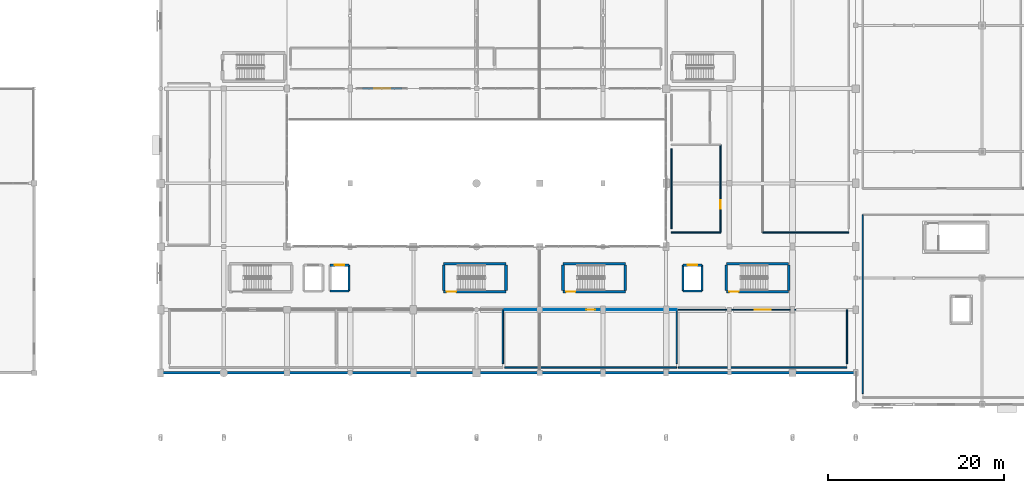
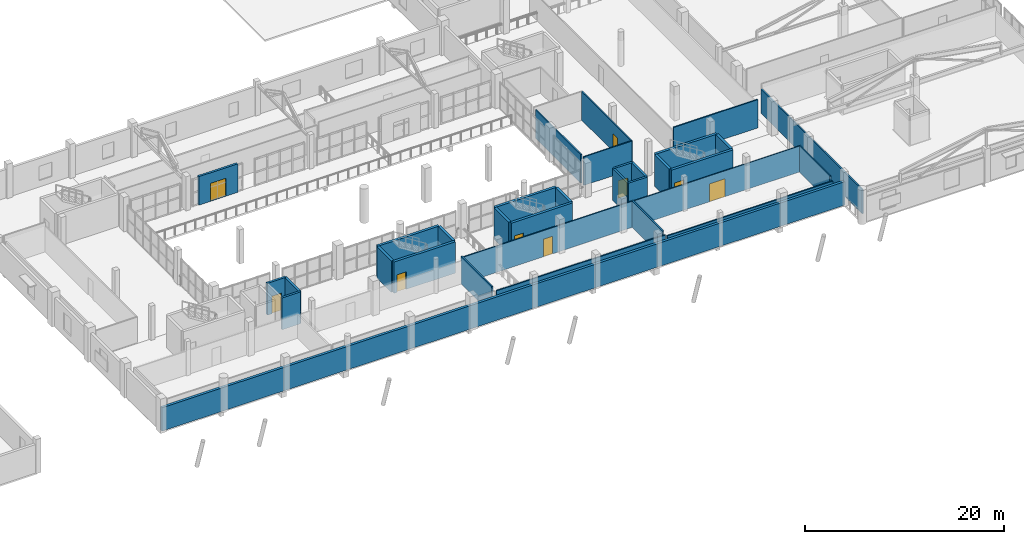
# One storey, part 68 of 92: 33 walls, 9 doors, 9 openings.
"""IFC4 building model written with IfcOpenShell, lengths in metres."""

from ifc_helpers import new_model, si_unit, direction, frame, frame_2d, origin, place, context, subcontext, project, spatial, rectangle, extrude, material, layer, layer_set, type_object, element, fill, save


model = new_model("IFC4")

# Units and contexts
model_context = context("Model", 3, precision=1e-05, world=origin(), true_north=direction((0.0, 1.0)))
body_context = subcontext(model_context, "Body", "Model", "MODEL_VIEW")
ifc_project = project(units=[si_unit("LENGTHUNIT", "METRE"), si_unit("AREAUNIT", "SQUARE_METRE"), si_unit("VOLUMEUNIT", "CUBIC_METRE"), si_unit("PLANEANGLEUNIT", "RADIAN"), si_unit("MASSUNIT", "GRAM", prefix="KILO")], contexts=[model_context])

# Site, building, storey
site_placement = place(None, origin())
site = spatial("IfcSite", under=ifc_project, at=site_placement, CompositionType="ELEMENT")
building_placement = place(site_placement, origin())
building = spatial("IfcBuilding", under=site, at=building_placement, Name="Solanera Park Tramway Depot", CompositionType="ELEMENT")
storey_placement = place(building_placement, frame((0.0, 0.0, 4.800048828125)))
storey = spatial("IfcBuildingStorey", under=building, at=storey_placement, Name="L01", CompositionType="ELEMENT", Elevation=4.800048828125)

# Walls
ifc_material_1 = material(Name="Concrete N32 (C32/40)", Category="concrete")
ifc_layer_1 = layer(ifc_material_1, 0.14990234375)
ifc_layer_set_1 = layer_set([ifc_layer_1], Name="Concrete N32 (C32/40)")
wall_type_1 = type_object("IfcWallType", Name="Acoustic Partition 150", PredefinedType="PARTITIONING", material=ifc_layer_set_1)
wall_1_placement = place(storey_placement, frame((147.0, 11.85009765625, 0.0), z_axis=(0.0, 0.0, 1.0), x_axis=(0.0, 1.0, 0.0)))
element("IfcWall", 1, at=wall_1_placement, inside=storey, type_object=wall_type_1, Name="Electric Bus Articulated Simulator 2 Dividing Wall", PredefinedType="PARTITIONING", context=body_context, shape_type="SweptSolid", body=[
    extrude(rectangle(XDim=6.14990234375, YDim=0.14990234375, at=frame_2d((3.074951171875, 0.0))), origin(), (0.0, 0.0, 1.0), 3.3720703125),
])
wall_2_placement = place(storey_placement, frame((166.800048828125, 11.39990234375, 0.0), z_axis=(0.0, 0.0, 1.0), x_axis=(-1.0, 0.0, 0.0)))
element("IfcWall", 2, at=wall_2_placement, inside=storey, type_object=wall_type_1, Name="Signalling Classroom and Debrief Room Dividing Wall", PredefinedType="PARTITIONING", context=body_context, shape_type="SweptSolid", body=[
    extrude(rectangle(XDim=19.60009765625, YDim=0.14990234375, at=frame_2d((9.800048828125, 0.0))), origin(), (0.0, 0.0, 1.0), 3.072021484375),
])
wall_3_placement = place(storey_placement, frame((166.800048828125, 11.85009765625, 0.0), z_axis=(0.0, 0.0, 1.0), x_axis=(0.0, 1.0, 0.0)))
element("IfcWall", 3, at=wall_3_placement, inside=storey, type_object=wall_type_1, Name="Signalling Classroom and Debrief Room Dividing Wall", PredefinedType="PARTITIONING", context=body_context, shape_type="SweptSolid", body=[
    extrude(rectangle(XDim=6.14990234375, YDim=0.14990234375, at=frame_2d((3.074951171875, 0.0))), origin(), (0.0, 0.0, 1.0), 3.27197265625),
])
wall_4_placement = place(storey_placement, frame((186.199951171875, 11.39990234375, 0.0), z_axis=(0.0, 0.0, 1.0), x_axis=(-1.0, 0.0, 0.0)))
element("IfcWall", 4, at=wall_4_placement, inside=storey, type_object=wall_type_1, Name="Safety Induction Lecture Room Dividing Wall", PredefinedType="PARTITIONING", context=body_context, shape_type="SweptSolid", body=[
    extrude(rectangle(XDim=19.199951171875, YDim=0.14990234375, at=frame_2d((9.60009765625, 0.0))), origin(), (0.0, 0.0, 1.0), 2.8720703125),
])
wall_5_placement = place(storey_placement, frame((186.199951171875, 11.85009765625, 0.0), z_axis=(0.0, 0.0, 1.0), x_axis=(0.0, 1.0, 0.0)))
element("IfcWall", 5, at=wall_5_placement, inside=storey, type_object=wall_type_1, Name="Safety Induction Lecture Room Dividing Wall", PredefinedType="PARTITIONING", context=body_context, shape_type="SweptSolid", body=[
    extrude(rectangle(XDim=6.14990234375, YDim=0.14990234375, at=frame_2d((3.074951171875, 0.0))), origin(), (0.0, 0.0, 1.0), 3.221923828125),
])
wall_6_placement = place(storey_placement, frame((186.39990234375, 26.800048828125, 0.0), z_axis=(0.0, 0.0, 1.0), x_axis=(-1.0, 0.0, 0.0)))
element("IfcWall", 6, at=wall_6_placement, inside=storey, type_object=wall_type_1, Name="Fleet Maintenance Engineering Open Plan Dividing Wall", PredefinedType="PARTITIONING", context=body_context, shape_type="SweptSolid", body=[
    extrude(rectangle(XDim=9.7998046875, YDim=0.14990234375, at=frame_2d((4.89990234375, 0.0))), origin(), (0.0, 0.0, 1.0), 3.472412109375),
])
wall_7_placement = place(storey_placement, frame((188.0, 28.800048828125, 0.0), z_axis=(0.0, 0.0, 1.0), x_axis=(0.0, -1.0, 0.0)))
element("IfcWall", 7, at=wall_7_placement, inside=storey, type_object=wall_type_1, Name="Community Transit Forum Auditorium Dividing Wall", PredefinedType="PARTITIONING", context=body_context, shape_type="SweptSolid", body=[
    extrude(rectangle(XDim=20.35009765625, YDim=0.14990234375, at=frame_2d((10.175048828125, 0.0))), origin(), (0.0, 0.0, 1.0), 2.979248046875),
])

# Wall, opening, door
ifc_material_2 = material(Name="Concrete N40 (C40/50)", Category="concrete")
ifc_layer_2 = layer(ifc_material_2, 0.300048828125)
ifc_layer_set_2 = layer_set([ifc_layer_2], Name="Concrete N40 (C40/50)")
wall_type_2 = type_object("IfcWallType", Name="Core Shear Wall 300", PredefinedType="SHEAR", material=ifc_layer_set_2)
wall_8_placement = place(storey_placement, frame((140.25, 20.050048828125, 0.0), z_axis=(0.0, 0.0, 1.0), x_axis=(1.0, 0.0, 0.0)))
wall_8 = element("IfcWall", 8, at=wall_8_placement, inside=storey, type_object=wall_type_2, Name="ST-02 L01 Shear Core Wall S", PredefinedType="SHEAR", context=body_context, shape_type="SweptSolid", body=[
    extrude(rectangle(XDim=7.10009765625, YDim=0.300048828125, at=frame_2d((3.550048828125, 0.0))), origin(), (0.0, 0.0, 1.0), 3.83984375),
])
opening_1_placement = place(wall_8_placement, frame((0.35009765625, 0.0, 0.0)))
opening_1 = element("IfcOpeningElement", 9, at=opening_1_placement, cuts=wall_8, Name="Opening FD-S1R", PredefinedType="OPENING", context=body_context, shape_type="SweptSolid", body=[
    extrude(rectangle(XDim=1.070068359375, YDim=2.14990234375, at=frame_2d((0.53515625, 1.074951171875))), frame((0.0, 0.16015625, 0.0), z_axis=(0.0, -1.0, 0.0), x_axis=(1.0, 0.0, 0.0)), (0.0, 0.0, 1.0), 0.320068359375),
])
ifc_material_3 = material(Name="Fire-rated steel or solid-core hardwood door leaf", Category="steel")
door_type_1 = type_object("IfcDoorType", Name="Stair Fire Door R 1070x2150", OperationType="SINGLE_SWING_RIGHT", PredefinedType="DOOR", material=ifc_material_3)
door_1_placement = place(opening_1_placement, origin())
door_1 = element("IfcDoor", 10, at=door_1_placement, inside=storey, type_object=door_type_1, Name="ST-02 L01 Stair Fire Door", OperationType="SINGLE_SWING_RIGHT", OverallHeight=2.14990234375, OverallWidth=1.070068359375, PredefinedType="DOOR", context=body_context, shape_type="SweptSolid", body=[
    extrude(rectangle(XDim=1.070068359375, YDim=2.14990234375, at=frame_2d((0.53515625, 1.074951171875))), frame((0.0, 0.02490234375, 0.0), z_axis=(0.0, -1.0, 0.0), x_axis=(1.0, 0.0, 0.0)), (0.0, 0.0, 1.0), 0.050048828125),
])
fill(opening_1, door_1)

# Walls
wall_9_placement = place(storey_placement, frame((147.35009765625, 23.25, 0.0), z_axis=(0.0, 0.0, 1.0), x_axis=(-1.0, 0.0, 0.0)))
element("IfcWall", 11, at=wall_9_placement, inside=storey, type_object=wall_type_2, Name="ST-02 L01 Shear Core Wall N", PredefinedType="SHEAR", context=body_context, shape_type="SweptSolid", body=[
    extrude(rectangle(XDim=7.10009765625, YDim=0.300048828125, at=frame_2d((3.550048828125, 0.0))), origin(), (0.0, 0.0, 1.0), 3.83984375),
])
for number, where, z_axis, x_axis, name in (
    (12, (147.35009765625, 20.199951171875, 0.0), (0.0, 0.0, 1.0), (0.0, 1.0, 0.0), "ST-02 L01 Shear Core Wall E"),
    (13, (140.25, 23.10009765625, 0.0), (0.0, 0.0, 1.0), (0.0, -1.0, 0.0), "ST-02 L01 Shear Core Wall W"),
):
    element("IfcWall", number, at=place(storey_placement, frame(where, z_axis=z_axis, x_axis=x_axis)), inside=storey, type_object=wall_type_2, Name=name, PredefinedType="SHEAR", context=body_context, shape_type="SweptSolid", body=[
        extrude(rectangle(XDim=2.900146484375, YDim=0.300048828125, at=frame_2d((1.4501953125, 0.0))), origin(), (0.0, 0.0, 1.0), 3.83984375),
    ])

# Wall, opening, door
wall_10_placement = place(storey_placement, frame((153.85009765625, 20.050048828125, 0.0), z_axis=(0.0, 0.0, 1.0), x_axis=(1.0, 0.0, 0.0)))
wall_10 = element("IfcWall", 14, at=wall_10_placement, inside=storey, type_object=wall_type_2, Name="ST-03 L01 Shear Core Wall S", PredefinedType="SHEAR", context=body_context, shape_type="SweptSolid", body=[
    extrude(rectangle(XDim=7.099853515625, YDim=0.300048828125, at=frame_2d((3.5498046875, 0.0))), origin(), (0.0, 0.0, 1.0), 3.83984375),
])
opening_2_placement = place(wall_10_placement, frame((0.35009765625, 0.0, 0.0)))
opening_2 = element("IfcOpeningElement", 15, at=opening_2_placement, cuts=wall_10, Name="Opening FD-S1R", PredefinedType="OPENING", context=body_context, shape_type="SweptSolid", body=[
    extrude(rectangle(XDim=1.070068359375, YDim=2.14990234375, at=frame_2d((0.53515625, 1.074951171875))), frame((0.0, 0.16015625, 0.0), z_axis=(0.0, -1.0, 0.0), x_axis=(1.0, 0.0, 0.0)), (0.0, 0.0, 1.0), 0.320068359375),
])
door_2_placement = place(opening_2_placement, origin())
door_2 = element("IfcDoor", 16, at=door_2_placement, inside=storey, type_object=door_type_1, Name="ST-03 L01 Stair Fire Door", OperationType="SINGLE_SWING_RIGHT", OverallHeight=2.14990234375, OverallWidth=1.070068359375, PredefinedType="DOOR", context=body_context, shape_type="SweptSolid", body=[
    extrude(rectangle(XDim=1.070068359375, YDim=2.14990234375, at=frame_2d((0.53515625, 1.074951171875))), frame((0.0, 0.02490234375, 0.0), z_axis=(0.0, -1.0, 0.0), x_axis=(1.0, 0.0, 0.0)), (0.0, 0.0, 1.0), 0.050048828125),
])
fill(opening_2, door_2)

# Walls
wall_11_placement = place(storey_placement, frame((160.949951171875, 23.25, 0.0), z_axis=(0.0, 0.0, 1.0), x_axis=(-1.0, 0.0, 0.0)))
element("IfcWall", 17, at=wall_11_placement, inside=storey, type_object=wall_type_2, Name="ST-03 L01 Shear Core Wall N", PredefinedType="SHEAR", context=body_context, shape_type="SweptSolid", body=[
    extrude(rectangle(XDim=7.099853515625, YDim=0.300048828125, at=frame_2d((3.5498046875, 0.0))), origin(), (0.0, 0.0, 1.0), 3.83984375),
])
for number, where, z_axis, x_axis, name in (
    (18, (160.949951171875, 20.199951171875, 0.0), (0.0, 0.0, 1.0), (0.0, 1.0, 0.0), "ST-03 L01 Shear Core Wall E"),
    (19, (153.85009765625, 23.10009765625, 0.0), (0.0, 0.0, 1.0), (0.0, -1.0, 0.0), "ST-03 L01 Shear Core Wall W"),
):
    element("IfcWall", number, at=place(storey_placement, frame(where, z_axis=z_axis, x_axis=x_axis)), inside=storey, type_object=wall_type_2, Name=name, PredefinedType="SHEAR", context=body_context, shape_type="SweptSolid", body=[
        extrude(rectangle(XDim=2.900146484375, YDim=0.300048828125, at=frame_2d((1.4501953125, 0.0))), origin(), (0.0, 0.0, 1.0), 3.83984375),
    ])

# Wall, opening, door
wall_12_placement = place(storey_placement, frame((172.449951171875, 20.050048828125, 0.0), z_axis=(0.0, 0.0, 1.0), x_axis=(1.0, 0.0, 0.0)))
wall_12 = element("IfcWall", 20, at=wall_12_placement, inside=storey, type_object=wall_type_2, Name="ST-04 L01 Shear Core Wall S", PredefinedType="SHEAR", context=body_context, shape_type="SweptSolid", body=[
    extrude(rectangle(XDim=7.10009765625, YDim=0.300048828125, at=frame_2d((3.550048828125, 0.0))), origin(), (0.0, 0.0, 1.0), 3.83984375),
])
opening_3_placement = place(wall_12_placement, frame((0.35009765625, 0.0, 0.0)))
opening_3 = element("IfcOpeningElement", 21, at=opening_3_placement, cuts=wall_12, Name="Opening FD-S1R", PredefinedType="OPENING", context=body_context, shape_type="SweptSolid", body=[
    extrude(rectangle(XDim=1.070068359375, YDim=2.14990234375, at=frame_2d((0.53515625, 1.074951171875))), frame((0.0, 0.16015625, 0.0), z_axis=(0.0, -1.0, 0.0), x_axis=(1.0, 0.0, 0.0)), (0.0, 0.0, 1.0), 0.320068359375),
])
door_3_placement = place(opening_3_placement, origin())
door_3 = element("IfcDoor", 22, at=door_3_placement, inside=storey, type_object=door_type_1, Name="ST-04 L01 Stair Fire Door", OperationType="SINGLE_SWING_RIGHT", OverallHeight=2.14990234375, OverallWidth=1.070068359375, PredefinedType="DOOR", context=body_context, shape_type="SweptSolid", body=[
    extrude(rectangle(XDim=1.070068359375, YDim=2.14990234375, at=frame_2d((0.53515625, 1.074951171875))), frame((0.0, 0.02490234375, 0.0), z_axis=(0.0, -1.0, 0.0), x_axis=(1.0, 0.0, 0.0)), (0.0, 0.0, 1.0), 0.050048828125),
])
fill(opening_3, door_3)

# Walls
wall_13_placement = place(storey_placement, frame((179.550048828125, 23.25, 0.0), z_axis=(0.0, 0.0, 1.0), x_axis=(-1.0, 0.0, 0.0)))
element("IfcWall", 23, at=wall_13_placement, inside=storey, type_object=wall_type_2, Name="ST-04 L01 Shear Core Wall N", PredefinedType="SHEAR", context=body_context, shape_type="SweptSolid", body=[
    extrude(rectangle(XDim=7.10009765625, YDim=0.300048828125, at=frame_2d((3.550048828125, 0.0))), origin(), (0.0, 0.0, 1.0), 3.83984375),
])
for number, where, z_axis, x_axis, name in (
    (24, (179.550048828125, 20.199951171875, 0.0), (0.0, 0.0, 1.0), (0.0, 1.0, 0.0), "ST-04 L01 Shear Core Wall E"),
    (25, (172.449951171875, 23.10009765625, 0.0), (0.0, 0.0, 1.0), (0.0, -1.0, 0.0), "ST-04 L01 Shear Core Wall W"),
):
    element("IfcWall", number, at=place(storey_placement, frame(where, z_axis=z_axis, x_axis=x_axis)), inside=storey, type_object=wall_type_2, Name=name, PredefinedType="SHEAR", context=body_context, shape_type="SweptSolid", body=[
        extrude(rectangle(XDim=2.900146484375, YDim=0.300048828125, at=frame_2d((1.4501953125, 0.0))), origin(), (0.0, 0.0, 1.0), 3.83984375),
    ])

# Wall, opening, door
ifc_material_4 = material(Name="Concrete N32 (C32/40)", Category="concrete")
ifc_layer_3 = layer(ifc_material_4, 0.25)
ifc_layer_set_3 = layer_set([ifc_layer_3], Name="Concrete N32 (C32/40)")
wall_type_3 = type_object("IfcWallType", Name="Ext Stucco Wall 250", PredefinedType="SOLIDWALL", material=ifc_layer_set_3)
wall_14_placement = place(storey_placement, frame((131.0, 43.199951171875, 0.0), z_axis=(0.0, 0.0, 1.0), x_axis=(1.0, 0.0, 0.0)))
wall_14 = element("IfcWall", 26, at=wall_14_placement, inside=storey, type_object=wall_type_3, Name="L01 Cloister Balcony Portal Wall", PredefinedType="SOLIDWALL", context=body_context, shape_type="SweptSolid", body=[
    extrude(rectangle(XDim=4.5, YDim=0.25, at=frame_2d((2.25, 0.0))), origin(), (0.0, 0.0, 1.0), 3.5),
])
opening_4_placement = place(wall_14_placement, frame((1.35009765625, 0.0, 0.0)))
opening_4 = element("IfcOpeningElement", 27, at=opening_4_placement, cuts=wall_14, Name="Opening ED-02", PredefinedType="OPENING", context=body_context, shape_type="SweptSolid", body=[
    extrude(rectangle(XDim=1.800048828125, YDim=2.199951171875, at=frame_2d((0.89990234375, 1.10009765625))), frame((0.0, 0.135009765625, 0.0), z_axis=(0.0, -1.0, 0.0), x_axis=(1.0, 0.0, 0.0)), (0.0, 0.0, 1.0), 0.27001953125),
])
ifc_material_5 = material(Name="Powder-coated aluminium and steel portal leaf", Category="steel")
door_type_2 = type_object("IfcDoorType", Name="Cloister Terrace Double Door 1800x2200", OperationType="DOUBLE_SWING_RIGHT", PredefinedType="DOOR", material=ifc_material_5)
door_4_placement = place(opening_4_placement, origin())
door_4 = element("IfcDoor", 28, at=door_4_placement, inside=storey, type_object=door_type_2, Name="Courtyard Cloister Balcony Door", OperationType="DOUBLE_SWING_RIGHT", OverallHeight=2.199951171875, OverallWidth=1.800048828125, PredefinedType="DOOR", context=body_context, shape_type="SweptSolid", body=[
    extrude(rectangle(XDim=1.800048828125, YDim=2.199951171875, at=frame_2d((0.89990234375, 1.10009765625))), frame((0.0, 0.02490234375, 0.0), z_axis=(0.0, -1.0, 0.0), x_axis=(1.0, 0.0, 0.0)), (0.0, 0.0, 1.0), 0.050048828125),
])
fill(opening_4, door_4)

# Walls
ifc_material_6 = material(Name="Concrete N32 (C32/40)", Category="concrete")
ifc_layer_4 = layer(ifc_material_6, 0.300048828125)
ifc_layer_set_4 = layer_set([ifc_layer_4], Name="Concrete N32 (C32/40)")
wall_type_4 = type_object("IfcWallType", Name="Ext Stucco Wall 300", PredefinedType="SOLIDWALL", material=ifc_layer_set_4)
wall_15_placement = place(storey_placement, frame((108.0, 10.800048828125, 0.0), z_axis=(0.0, 0.0, 1.0), x_axis=(1.0, 0.0, 0.0)))
element("IfcWall", 29, at=wall_15_placement, inside=storey, type_object=wall_type_4, Name="L01 Exterior Wall #023", PredefinedType="SOLIDWALL", context=body_context, shape_type="SweptSolid", body=[
    extrude(rectangle(XDim=79.199951171875, YDim=0.300048828125, at=frame_2d((39.60009765625, 0.0))), origin(), (0.0, 0.0, 1.0), 2.8720703125),
])
ifc_material_7 = material(Name="Concrete N40 (C40/50)", Category="concrete")
ifc_layer_5 = layer(ifc_material_7, 0.25)
ifc_layer_set_5 = layer_set([ifc_layer_5], Name="Concrete N40 (C40/50)")
wall_type_5 = type_object("IfcWallType", Name="Lift Shaft Shear Wall 250", PredefinedType="SHEAR", material=ifc_layer_set_5)
wall_16_placement = place(storey_placement, frame((127.324951171875, 20.125, 0.0), z_axis=(0.0, 0.0, 1.0), x_axis=(1.0, 0.0, 0.0)))
element("IfcWall", 30, at=wall_16_placement, inside=storey, type_object=wall_type_5, Name="LF-02 L01 Lift Shaft Wall S", PredefinedType="SHEAR", context=body_context, shape_type="SweptSolid", body=[
    extrude(rectangle(XDim=2.150146484375, YDim=0.25, at=frame_2d((1.0751953125, 0.0))), origin(), (0.0, 0.0, 1.0), 3.89990234375),
])

# Wall, opening, door
wall_17_placement = place(storey_placement, frame((129.47509765625, 23.074951171875, 0.0), z_axis=(0.0, 0.0, 1.0), x_axis=(-1.0, 0.0, 0.0)))
wall_17 = element("IfcWall", 31, at=wall_17_placement, inside=storey, type_object=wall_type_5, Name="LF-02 L01 Lift Shaft Wall N", PredefinedType="SHEAR", context=body_context, shape_type="SweptSolid", body=[
    extrude(rectangle(XDim=2.150146484375, YDim=0.25, at=frame_2d((1.0751953125, 0.0))), origin(), (0.0, 0.0, 1.0), 3.89990234375),
])
opening_5_placement = place(wall_17_placement, frame((0.52490234375, 0.0, 0.0)))
opening_5 = element("IfcOpeningElement", 32, at=opening_5_placement, cuts=wall_17, Name="Opening LD-01", PredefinedType="OPENING", context=body_context, shape_type="SweptSolid", body=[
    extrude(rectangle(XDim=1.10009765625, YDim=2.14990234375, at=frame_2d((0.550048828125, 1.074951171875))), frame((0.0, 0.135009765625, 0.0), z_axis=(0.0, -1.0, 0.0), x_axis=(1.0, 0.0, 0.0)), (0.0, 0.0, 1.0), 0.27001953125),
])
ifc_material_8 = material(Name="Fire-rated steel or solid-core hardwood door leaf", Category="steel")
door_type_3 = type_object("IfcDoorType", Name="Lift Landing Sliding Door 1100x2150", OperationType="SLIDING_TO_LEFT", PredefinedType="DOOR", material=ifc_material_8)
door_5_placement = place(opening_5_placement, origin())
door_5 = element("IfcDoor", 33, at=door_5_placement, inside=storey, type_object=door_type_3, Name="LF-02 L01 Lift Landing Sliding Door", OperationType="SLIDING_TO_LEFT", OverallHeight=2.14990234375, OverallWidth=1.10009765625, PredefinedType="DOOR", context=body_context, shape_type="SweptSolid", body=[
    extrude(rectangle(XDim=1.10009765625, YDim=2.14990234375, at=frame_2d((0.550048828125, 1.074951171875))), frame((0.0, 0.02490234375, 0.0), z_axis=(0.0, -1.0, 0.0), x_axis=(1.0, 0.0, 0.0)), (0.0, 0.0, 1.0), 0.050048828125),
])
fill(opening_5, door_5)

# Walls
wall_18_placement = place(storey_placement, frame((129.47509765625, 20.125, 0.0), z_axis=(0.0, 0.0, 1.0), x_axis=(0.0, 1.0, 0.0)))
element("IfcWall", 34, at=wall_18_placement, inside=storey, type_object=wall_type_5, Name="LF-02 L01 Lift Shaft Wall E", PredefinedType="SHEAR", context=body_context, shape_type="SweptSolid", body=[
    extrude(rectangle(XDim=2.949951171875, YDim=0.25, at=frame_2d((1.47509765625, 0.0))), origin(), (0.0, 0.0, 1.0), 3.89990234375),
])
wall_19_placement = place(storey_placement, frame((167.52490234375, 20.125, 0.0), z_axis=(0.0, 0.0, 1.0), x_axis=(1.0, 0.0, 0.0)))
element("IfcWall", 35, at=wall_19_placement, inside=storey, type_object=wall_type_5, Name="LF-03 L01 Lift Shaft Wall S", PredefinedType="SHEAR", context=body_context, shape_type="SweptSolid", body=[
    extrude(rectangle(XDim=2.150146484375, YDim=0.25, at=frame_2d((1.0751953125, 0.0))), origin(), (0.0, 0.0, 1.0), 3.89990234375),
])

# Wall, opening, door
wall_20_placement = place(storey_placement, frame((169.675048828125, 23.074951171875, 0.0), z_axis=(0.0, 0.0, 1.0), x_axis=(-1.0, 0.0, 0.0)))
wall_20 = element("IfcWall", 36, at=wall_20_placement, inside=storey, type_object=wall_type_5, Name="LF-03 L01 Lift Shaft Wall N", PredefinedType="SHEAR", context=body_context, shape_type="SweptSolid", body=[
    extrude(rectangle(XDim=2.150146484375, YDim=0.25, at=frame_2d((1.0751953125, 0.0))), origin(), (0.0, 0.0, 1.0), 3.89990234375),
])
opening_6_placement = place(wall_20_placement, frame((0.52490234375, 0.0, 0.0)))
opening_6 = element("IfcOpeningElement", 37, at=opening_6_placement, cuts=wall_20, Name="Opening LD-01", PredefinedType="OPENING", context=body_context, shape_type="SweptSolid", body=[
    extrude(rectangle(XDim=1.10009765625, YDim=2.14990234375, at=frame_2d((0.550048828125, 1.074951171875))), frame((0.0, 0.135009765625, 0.0), z_axis=(0.0, -1.0, 0.0), x_axis=(1.0, 0.0, 0.0)), (0.0, 0.0, 1.0), 0.27001953125),
])
door_6_placement = place(opening_6_placement, origin())
door_6 = element("IfcDoor", 38, at=door_6_placement, inside=storey, type_object=door_type_3, Name="LF-03 L01 Lift Landing Sliding Door", OperationType="SLIDING_TO_LEFT", OverallHeight=2.14990234375, OverallWidth=1.10009765625, PredefinedType="DOOR", context=body_context, shape_type="SweptSolid", body=[
    extrude(rectangle(XDim=1.10009765625, YDim=2.14990234375, at=frame_2d((0.550048828125, 1.074951171875))), frame((0.0, 0.02490234375, 0.0), z_axis=(0.0, -1.0, 0.0), x_axis=(1.0, 0.0, 0.0)), (0.0, 0.0, 1.0), 0.050048828125),
])
fill(opening_6, door_6)

# Walls
for number, where, z_axis, x_axis, name in (
    (39, (167.52490234375, 23.074951171875, 0.0), (0.0, 0.0, 1.0), (0.0, -1.0, 0.0), "LF-03 L01 Lift Shaft Wall W"),
    (40, (169.675048828125, 20.125, 0.0), (0.0, 0.0, 1.0), (0.0, 1.0, 0.0), "LF-03 L01 Lift Shaft Wall E"),
):
    element("IfcWall", number, at=place(storey_placement, frame(where, z_axis=z_axis, x_axis=x_axis)), inside=storey, type_object=wall_type_5, Name=name, PredefinedType="SHEAR", context=body_context, shape_type="SweptSolid", body=[
        extrude(rectangle(XDim=2.949951171875, YDim=0.25, at=frame_2d((1.47509765625, 0.0))), origin(), (0.0, 0.0, 1.0), 3.89990234375),
    ])
ifc_material_9 = material(Name="Concrete N32 (C32/40)", Category="concrete")
ifc_layer_6 = layer(ifc_material_9, 0.139892578125)
ifc_layer_set_6 = layer_set([ifc_layer_6], Name="Concrete N32 (C32/40)")
wall_type_6 = type_object("IfcWallType", Name="Wet Area Partition 140", PredefinedType="PARTITIONING", material=ifc_layer_set_6)
wall_21_placement = place(storey_placement, frame((171.800048828125, 26.800048828125, 0.0), z_axis=(0.0, 0.0, 1.0), x_axis=(-1.0, 0.0, 0.0)))
element("IfcWall", 41, at=wall_21_placement, inside=storey, type_object=wall_type_6, Name="Quadrangle L01 Male and Female WC Dividing Wall", PredefinedType="PARTITIONING", context=body_context, shape_type="SweptSolid", body=[
    extrude(rectangle(XDim=5.60009765625, YDim=0.139892578125, at=frame_2d((2.800048828125, 0.0))), origin(), (0.0, 0.0, 1.0), 3.5),
])
wall_22_placement = place(storey_placement, frame((166.199951171875, 36.35009765625, 0.0), z_axis=(0.0, 0.0, 1.0), x_axis=(0.0, -1.0, 0.0)))
element("IfcWall", 42, at=wall_22_placement, inside=storey, type_object=wall_type_6, Name="Quadrangle L01 Male and Female WC Dividing Wall", PredefinedType="PARTITIONING", context=body_context, shape_type="SweptSolid", body=[
    extrude(rectangle(XDim=9.10009765625, YDim=0.139892578125, at=frame_2d((4.550048828125, 0.0))), origin(), (0.0, 0.0, 1.0), 3.5),
])

# Wall, opening, door
wall_23_placement = place(storey_placement, frame((171.800048828125, 26.800048828125, 0.0), z_axis=(0.0, 0.0, 1.0), x_axis=(0.0, 1.0, 0.0)))
wall_23 = element("IfcWall", 43, at=wall_23_placement, inside=storey, type_object=wall_type_6, Name="Quadrangle L01 Male and Female WC Corridor Wall", PredefinedType="PARTITIONING", context=body_context, shape_type="SweptSolid", body=[
    extrude(rectangle(XDim=10.0, YDim=0.139892578125, at=frame_2d((5.0, 0.0))), origin(), (0.0, 0.0, 1.0), 3.5),
])
opening_7_placement = place(wall_23_placement, frame((2.702880859375, 0.0, 0.0)))
opening_7 = element("IfcOpeningElement", 44, at=opening_7_placement, cuts=wall_23, Name="Opening ID-W1R", PredefinedType="OPENING", context=body_context, shape_type="SweptSolid", body=[
    extrude(rectangle(XDim=0.989990234375, YDim=2.14990234375, at=frame_2d((0.4951171875, 1.074951171875))), frame((0.0, 0.080078125, 0.0), z_axis=(0.0, -1.0, 0.0), x_axis=(1.0, 0.0, 0.0)), (0.0, 0.0, 1.0), 0.159912109375),
])
ifc_material_10 = material(Name="Fire-rated steel or solid-core hardwood door leaf", Category="steel")
door_type_4 = type_object("IfcDoorType", Name="Accessible WC Door R 990x2150", OperationType="SINGLE_SWING_RIGHT", PredefinedType="DOOR", material=ifc_material_10)
door_7_placement = place(opening_7_placement, origin())
door_7 = element("IfcDoor", 45, at=door_7_placement, inside=storey, type_object=door_type_4, Name="Quadrangle L01 Male and Female WC Door", OperationType="SINGLE_SWING_RIGHT", OverallHeight=2.14990234375, OverallWidth=0.989990234375, PredefinedType="DOOR", context=body_context, shape_type="SweptSolid", body=[
    extrude(rectangle(XDim=0.989990234375, YDim=2.14990234375, at=frame_2d((0.4951171875, 1.074951171875))), frame((0.0, 0.02490234375, 0.0), z_axis=(0.0, -1.0, 0.0), x_axis=(1.0, 0.0, 0.0)), (0.0, 0.0, 1.0), 0.050048828125),
])
fill(opening_7, door_7)

ifc_material_11 = material(Name="Concrete N32 (C32/40)", Category="concrete")
ifc_layer_7 = layer(ifc_material_11, 0.110107421875)
ifc_layer_set_7 = layer_set([ifc_layer_7], Name="Concrete N32 (C32/40)")
wall_type_7 = type_object("IfcWallType", Name="Workshop Glazed Screen 110", PredefinedType="PARTITIONING", material=ifc_layer_set_7)
wall_24_placement = place(storey_placement, frame((147.199951171875, 18.0, 0.0), z_axis=(0.0, 0.0, 1.0), x_axis=(1.0, 0.0, 0.0)))
wall_24 = element("IfcWall", 46, at=wall_24_placement, inside=storey, type_object=wall_type_7, Name="Signalling Classroom and Debrief Room Corridor Wall", PredefinedType="PARTITIONING", context=body_context, shape_type="SweptSolid", body=[
    extrude(rectangle(XDim=19.60009765625, YDim=0.110107421875, at=frame_2d((9.800048828125, 0.0))), origin(), (0.0, 0.0, 1.0), 3.221923828125),
])
opening_8_placement = place(wall_24_placement, frame((9.280029296875, 0.0, 0.0)))
opening_8 = element("IfcOpeningElement", 47, at=opening_8_placement, cuts=wall_24, Name="Opening ID-T1L", PredefinedType="OPENING", context=body_context, shape_type="SweptSolid", body=[
    extrude(rectangle(XDim=1.0400390625, YDim=2.14990234375, at=frame_2d((0.52001953125, 1.074951171875))), frame((0.0, 0.06494140625, 0.0), z_axis=(0.0, -1.0, 0.0), x_axis=(1.0, 0.0, 0.0)), (0.0, 0.0, 1.0), 0.130126953125),
])
ifc_material_12 = material(Name="Fire-rated steel or solid-core hardwood door leaf", Category="steel")
door_type_5 = type_object("IfcDoorType", Name="Training Room Door L 1040x2150", OperationType="SINGLE_SWING_LEFT", PredefinedType="DOOR", material=ifc_material_12)
door_8_placement = place(opening_8_placement, origin())
door_8 = element("IfcDoor", 48, at=door_8_placement, inside=storey, type_object=door_type_5, Name="Signalling Classroom and Debrief Room Door", OperationType="SINGLE_SWING_LEFT", OverallHeight=2.14990234375, OverallWidth=1.0400390625, PredefinedType="DOOR", context=body_context, shape_type="SweptSolid", body=[
    extrude(rectangle(XDim=1.0400390625, YDim=2.14990234375, at=frame_2d((0.52001953125, 1.074951171875))), frame((0.0, 0.02490234375, 0.0), z_axis=(0.0, -1.0, 0.0), x_axis=(1.0, 0.0, 0.0)), (0.0, 0.0, 1.0), 0.050048828125),
])
fill(opening_8, door_8)

wall_25_placement = place(storey_placement, frame((167.0, 18.0, 0.0), z_axis=(0.0, 0.0, 1.0), x_axis=(1.0, 0.0, 0.0)))
wall_25 = element("IfcWall", 49, at=wall_25_placement, inside=storey, type_object=wall_type_7, Name="Safety Induction Lecture Room Corridor Wall", PredefinedType="PARTITIONING", context=body_context, shape_type="SweptSolid", body=[
    extrude(rectangle(XDim=19.199951171875, YDim=0.110107421875, at=frame_2d((9.60009765625, 0.0))), origin(), (0.0, 0.0, 1.0), 3.171875),
])
opening_9_placement = place(wall_25_placement, frame((8.699951171875, 0.0, 0.0)))
opening_9 = element("IfcOpeningElement", 50, at=opening_9_placement, cuts=wall_25, Name="Opening ID-A2D", PredefinedType="OPENING", context=body_context, shape_type="SweptSolid", body=[
    extrude(rectangle(XDim=1.800048828125, YDim=2.199951171875, at=frame_2d((0.89990234375, 1.10009765625))), frame((0.0, 0.06494140625, 0.0), z_axis=(0.0, -1.0, 0.0), x_axis=(1.0, 0.0, 0.0)), (0.0, 0.0, 1.0), 0.130126953125),
])
ifc_material_13 = material(Name="Fire-rated steel or solid-core hardwood door leaf", Category="steel")
door_type_6 = type_object("IfcDoorType", Name="Assembly Double Door 1800x2200", OperationType="DOUBLE_SWING_RIGHT", PredefinedType="DOOR", material=ifc_material_13)
door_9_placement = place(opening_9_placement, origin())
door_9 = element("IfcDoor", 51, at=door_9_placement, inside=storey, type_object=door_type_6, Name="Safety Induction Lecture Room Door", OperationType="DOUBLE_SWING_RIGHT", OverallHeight=2.199951171875, OverallWidth=1.800048828125, PredefinedType="DOOR", context=body_context, shape_type="SweptSolid", body=[
    extrude(rectangle(XDim=1.800048828125, YDim=2.199951171875, at=frame_2d((0.89990234375, 1.10009765625))), frame((0.0, 0.02490234375, 0.0), z_axis=(0.0, -1.0, 0.0), x_axis=(1.0, 0.0, 0.0)), (0.0, 0.0, 1.0), 0.050048828125),
])
fill(opening_9, door_9)

save(model, "model.ifc")
